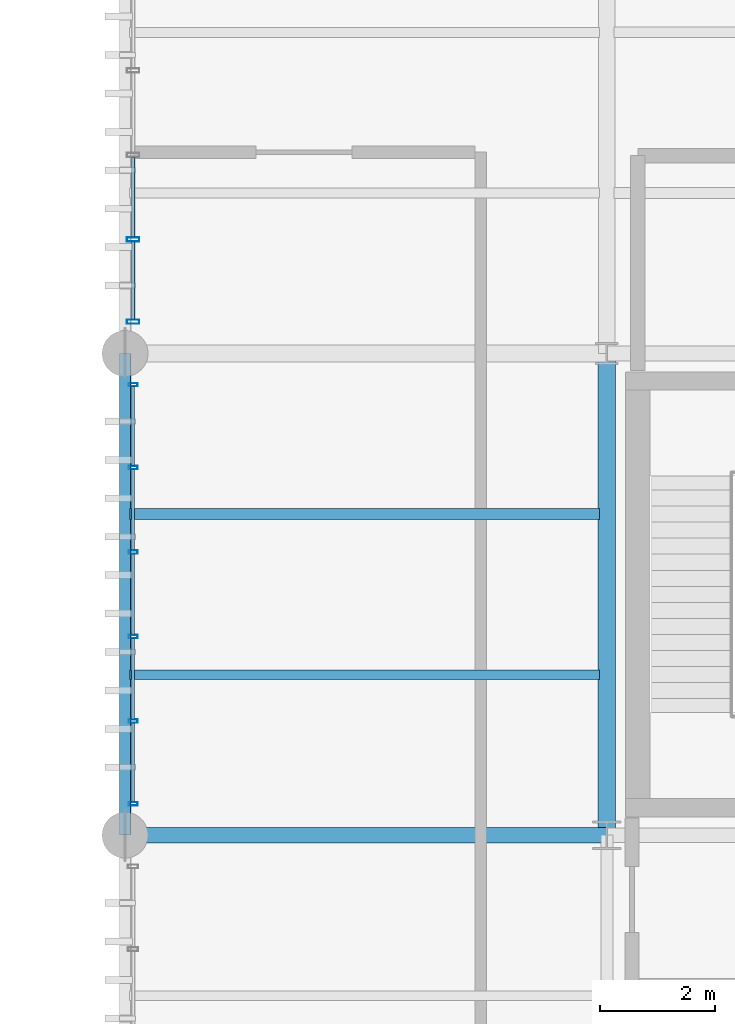
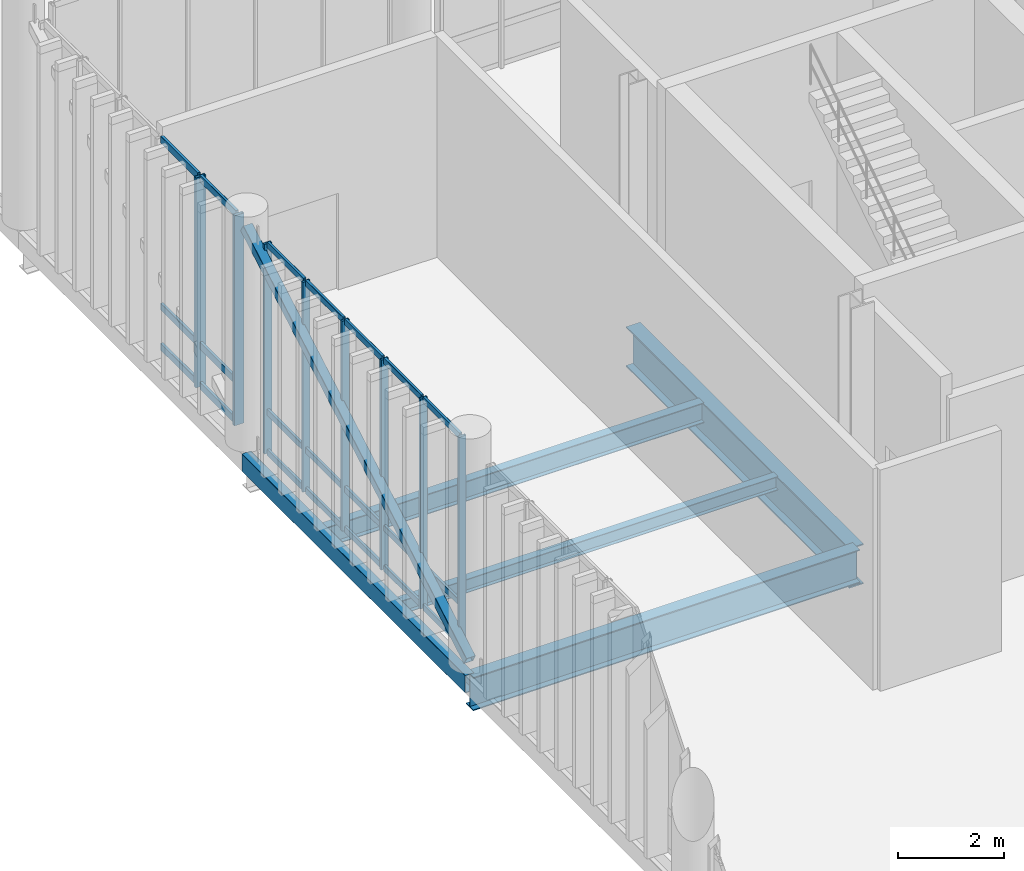
# One storey, part 80 of 128: 30 members, 5 beams, 2 elements without a shape of their own.
"""IFC4 building model written with IfcOpenShell, lengths in metres."""

from ifc_helpers import new_model, si_unit, direction, frame, origin_with_axes, origin_2d_with_axis, place, context, subcontext, project, spatial, hollow_rectangle, i_section, extrude, material, material_profile, profile_set, type_object, element, aggregate, save


model = new_model("IFC4")

# Units and contexts
model_context = context("Model", 3, precision=1e-05, world=origin_with_axes(), true_north=direction((0.0, 1.0)))
body_context = subcontext(model_context, "Body", "Model", "MODEL_VIEW")
ifc_project = project(units=[si_unit("LENGTHUNIT", "METRE"), si_unit("AREAUNIT", "SQUARE_METRE"), si_unit("VOLUMEUNIT", "CUBIC_METRE"), si_unit("PLANEANGLEUNIT", "RADIAN"), si_unit("MASSUNIT", "GRAM", prefix="KILO"), si_unit("THERMODYNAMICTEMPERATUREUNIT", "KELVIN")], contexts=[model_context])

# Site, building, storey
site_placement = place(None, origin_with_axes())
site = spatial("IfcSite", under=ifc_project, at=site_placement, CompositionType="ELEMENT")
building_placement = place(site_placement, origin_with_axes())
building = spatial("IfcBuilding", under=site, at=building_placement, Name="Montbau Bow Law Courts", CompositionType="ELEMENT")
storey_placement = place(building_placement, frame((0.0, 0.0, 5.4), z_axis=(0.0, 0.0, 1.0), x_axis=(1.0, 0.0, 0.0)))
storey = spatial("IfcBuildingStorey", under=building, at=storey_placement, Name="L01", CompositionType="ELEMENT", Elevation=5.4)

# Beams
ifc_material_1 = material(Name="Steel CSA G40.21 Grade 350W (350 MPa)", Category="steel")
ifc_material_profile_1 = material_profile(ifc_material_1, i_section(OverallWidth=0.306, OverallDepth=0.919, WebThickness=0.0173, FlangeThickness=0.0279, at=origin_2d_with_axis()), Name="W920X253", Category="Main", Priority=0)
ifc_profile_set_1 = profile_set([ifc_material_profile_1], Name="Steel CSA G40.21 Grade 350W (350 MPa)")
beam_type_1 = type_object("IfcBeamType", Name="B-FLR-01", PredefinedType="BEAM", material=ifc_profile_set_1)
beam_1_placement = place(None, frame((147.0, 86.4, 4.66), z_axis=(0.0, 1.0, 0.0), x_axis=(-1.0, 0.0, 0.0)))
element("IfcBeam", 1, at=beam_1_placement, inside=storey, type_object=beam_type_1, Name="BM-L01-S1140:bm2_1143", PredefinedType="BEAM", context=body_context, shape_type="SweptSolid", body=[
    extrude(i_section(OverallWidth=0.306, OverallDepth=0.919, WebThickness=0.0173, FlangeThickness=0.0279, at=origin_2d_with_axis()), origin_with_axes(), (0.0, 0.0, 1.0), 8.4),
])
ifc_material_profile_2 = material_profile(ifc_material_1, i_section(OverallWidth=0.267, OverallDepth=0.766, WebThickness=0.0149, FlangeThickness=0.0236, at=origin_2d_with_axis()), Name="W760X185", Category="Main", Priority=0)
ifc_profile_set_2 = profile_set([ifc_material_profile_2], Name="Steel CSA G40.21 Grade 350W (350 MPa)")
beam_type_2 = type_object("IfcBeamType", Name="B-FLR-03", PredefinedType="BEAM", material=ifc_profile_set_2)
beam_2_placement = place(None, frame((138.6, 86.4, 4.737), z_axis=(1.0, 0.0, 0.0), x_axis=(0.0, 1.0, 0.0)))
element("IfcBeam", 2, at=beam_2_placement, inside=storey, type_object=beam_type_2, Name="BM-L01-S1110:bm2_1113", PredefinedType="BEAM", context=body_context, shape_type="SweptSolid", body=[
    extrude(i_section(OverallWidth=0.267, OverallDepth=0.766, WebThickness=0.0149, FlangeThickness=0.0236, at=origin_2d_with_axis()), origin_with_axes(), (0.0, 0.0, 1.0), 8.4),
])
ifc_material_profile_3 = material_profile(ifc_material_1, i_section(OverallWidth=0.191, OverallDepth=0.46, WebThickness=0.0099, FlangeThickness=0.016, at=origin_2d_with_axis()), Name="W460X82", Category="Main", Priority=0)
ifc_profile_set_3 = profile_set([ifc_material_profile_3], Name="Steel CSA G40.21 Grade 350W (350 MPa)")
beam_type_3 = type_object("IfcBeamType", Name="B-JST-01", PredefinedType="JOIST", material=ifc_profile_set_3)
beam_3_placement = place(None, frame((138.68, 92.0, 4.89), z_axis=(1.0, 0.0, 0.0), x_axis=(0.0, 1.0, 0.0)))
element("IfcBeam", 3, at=beam_3_placement, inside=storey, type_object=beam_type_3, Name="JST-L01-S0568:jst2_0568", PredefinedType="JOIST", context=body_context, shape_type="SweptSolid", body=[
    extrude(i_section(OverallWidth=0.191, OverallDepth=0.46, WebThickness=0.0099, FlangeThickness=0.016, at=origin_2d_with_axis()), origin_with_axes(), (0.0, 0.0, 1.0), 8.191),
])
ifc_material_profile_4 = material_profile(ifc_material_1, i_section(OverallWidth=0.166, OverallDepth=0.313, WebThickness=0.0066, FlangeThickness=0.0112, at=origin_2d_with_axis()), Name="W310X45", Category="Main", Priority=0)
ifc_profile_set_4 = profile_set([ifc_material_profile_4], Name="Steel CSA G40.21 Grade 350W (350 MPa)")
beam_type_4 = type_object("IfcBeamType", Name="B-JST-04", PredefinedType="JOIST", material=ifc_profile_set_4)
beam_4_placement = place(None, frame((138.68, 89.2, 4.963), z_axis=(1.0, 0.0, 0.0), x_axis=(0.0, 1.0, 0.0)))
element("IfcBeam", 4, at=beam_4_placement, inside=storey, type_object=beam_type_4, Name="JST-L01-S0567:jst2_0567", PredefinedType="JOIST", context=body_context, shape_type="SweptSolid", body=[
    extrude(i_section(OverallWidth=0.166, OverallDepth=0.313, WebThickness=0.0066, FlangeThickness=0.0112, at=origin_2d_with_axis()), origin_with_axes(), (0.0, 0.0, 1.0), 8.191),
])
ifc_material_2 = material(Name="Steel CSA G40.21 Grade 350WT (350 MPa)", Category="steel")
ifc_material_profile_5 = material_profile(ifc_material_2, hollow_rectangle(XDim=0.203, YDim=0.406, WallThickness=0.0127, InnerFilletRadius=0.0254, OuterFilletRadius=0.0127, at=origin_2d_with_axis()), Name="HSS406X203X13", Category="Main", Priority=0)
ifc_profile_set_5 = profile_set([ifc_material_profile_5], Name="Steel CSA G40.21 Grade 350WT (350 MPa)")
beam_type_5 = type_object("IfcBeamType", Name="B-SPN-01", PredefinedType="SPANDREL", material=ifc_profile_set_5)
beam_5_placement = place(None, frame((138.6, 86.4, 4.917), z_axis=(0.0, 1.0, 0.0), x_axis=(-1.0, 0.0, 0.0)))
element("IfcBeam", 5, at=beam_5_placement, inside=storey, type_object=beam_type_5, Name="SPN-L01-S1133:bm2_1136", PredefinedType="SPANDREL", context=body_context, shape_type="SweptSolid", body=[
    extrude(hollow_rectangle(XDim=0.203, YDim=0.406, WallThickness=0.0127, InnerFilletRadius=0.0254, OuterFilletRadius=0.0127, at=origin_2d_with_axis()), origin_with_axes(), (0.0, 0.0, 1.0), 8.4),
])

# Member
ifc_material_profile_6 = material_profile(ifc_material_1, hollow_rectangle(XDim=0.203, YDim=0.203, WallThickness=0.0111, InnerFilletRadius=0.0222, OuterFilletRadius=0.0111, at=origin_2d_with_axis()), Name="HSS203X203X11", Category="Main", Priority=0)
ifc_profile_set_6 = profile_set([ifc_material_profile_6], Name="Steel CSA G40.21 Grade 350W (350 MPa)")
member_type_1 = type_object("IfcMemberType", Name="M-BRC-02", PredefinedType="BRACE", material=ifc_profile_set_6)
member_1_placement = place(None, frame((138.6, 86.4, 5.45), z_axis=(0.0, 0.866147817, 0.499787913), x_axis=(-1.0, 0.0, 0.0)))
element("IfcMember", 6, at=member_1_placement, inside=storey, type_object=member_type_1, Name="Diagonal brace CBF-L01-060A", PredefinedType="BRACE", context=body_context, shape_type="SweptSolid", body=[
    extrude(hollow_rectangle(XDim=0.203, YDim=0.203, WallThickness=0.0111, InnerFilletRadius=0.0222, OuterFilletRadius=0.0111, at=origin_2d_with_axis()), origin_with_axes(), (0.0, 0.0, 1.0), 9.698114),
])

# Curtain wall, members
ifc_material_3 = material(Name="Thermally Broken Extruded Aluminium AA 6063-T6", Category="aluminium")
curtain_wall_type = type_object("IfcCurtainWallType", Name="CW-SLT-01", PredefinedType="NOTDEFINED", material=ifc_material_3)
curtain_wall_1_placement = place(None, frame((138.74, 95.315, 5.4), z_axis=(0.0, 0.0, 1.0), x_axis=(1.0, 0.0, 0.0)))
curtain_wall_1 = element("IfcCurtainWall", 7, at=curtain_wall_1_placement, inside=storey, type_object=curtain_wall_type, Name="CW-L01-288:cw_0288", PredefinedType="NOTDEFINED")
ifc_material_profile_7 = material_profile(ifc_material_3, hollow_rectangle(XDim=0.075, YDim=0.22, WallThickness=0.005, InnerFilletRadius=0.01, OuterFilletRadius=0.005, at=origin_2d_with_axis()), Name="CWM-220X75", Category="Main", Priority=0)
ifc_profile_set_7 = profile_set([ifc_material_profile_7], Name="Thermally Broken Extruded Aluminium AA 6063-T6")
member_type_2 = type_object("IfcMemberType", Name="M-MUL-01", PredefinedType="MULLION", material=ifc_profile_set_7)
member_2_placement = place(None, frame((138.74, 95.352, 5.4), z_axis=(0.0, 0.0, 1.0), x_axis=(0.0, 1.0, 0.0)))
member_2 = element("IfcMember", 8, at=member_2_placement, type_object=member_type_2, Name="CW-L01-288-M01:cw_0288_M01", PredefinedType="MULLION", context=body_context, shape_type="SweptSolid", body=[
    extrude(hollow_rectangle(XDim=0.075, YDim=0.22, WallThickness=0.005, InnerFilletRadius=0.01, OuterFilletRadius=0.005, at=origin_2d_with_axis()), origin_with_axes(), (0.0, 0.0, 1.0), 4.82),
])
member_3_placement = place(None, frame((138.74, 96.789, 5.4), z_axis=(0.0, 0.0, 1.0), x_axis=(0.0, 1.0, 0.0)))
member_3 = element("IfcMember", 9, at=member_3_placement, type_object=member_type_2, Name="CW-L01-288-M02:cw_0288_M02", PredefinedType="MULLION", context=body_context, shape_type="SweptSolid", body=[
    extrude(hollow_rectangle(XDim=0.075, YDim=0.22, WallThickness=0.005, InnerFilletRadius=0.01, OuterFilletRadius=0.005, at=origin_2d_with_axis()), origin_with_axes(), (0.0, 0.0, 1.0), 4.82),
])

curtain_wall_2_placement = place(None, frame((138.74, 86.915, 5.4), z_axis=(0.0, 0.0, 1.0), x_axis=(1.0, 0.0, 0.0)))
curtain_wall_2 = element("IfcCurtainWall", 10, at=curtain_wall_2_placement, inside=storey, type_object=curtain_wall_type, Name="CW-L01-287:cw_0287", PredefinedType="NOTDEFINED")
ifc_material_profile_8 = material_profile(ifc_material_3, hollow_rectangle(XDim=0.06, YDim=0.16, WallThickness=0.004, InnerFilletRadius=0.008, OuterFilletRadius=0.004, at=origin_2d_with_axis()), Name="CWM-160X60", Category="Main", Priority=0)
ifc_profile_set_8 = profile_set([ifc_material_profile_8], Name="Thermally Broken Extruded Aluminium AA 6063-T6")
member_type_3 = type_object("IfcMemberType", Name="M-MUL-03", PredefinedType="MULLION", material=ifc_profile_set_8)
member_4_placement = place(None, frame((138.74, 86.945, 5.4), z_axis=(0.0, 0.0, 1.0), x_axis=(0.0, 1.0, 0.0)))
member_4 = element("IfcMember", 11, at=member_4_placement, type_object=member_type_3, Name="CW-L01-287-M01:cw_0287_M01", PredefinedType="MULLION", context=body_context, shape_type="SweptSolid", body=[
    extrude(hollow_rectangle(XDim=0.06, YDim=0.16, WallThickness=0.004, InnerFilletRadius=0.008, OuterFilletRadius=0.004, at=origin_2d_with_axis()), origin_with_axes(), (0.0, 0.0, 1.0), 4.82),
])
member_5_placement = place(None, frame((138.74, 88.389, 5.4), z_axis=(0.0, 0.0, 1.0), x_axis=(0.0, 1.0, 0.0)))
member_5 = element("IfcMember", 12, at=member_5_placement, type_object=member_type_3, Name="CW-L01-287-M02:cw_0287_M02", PredefinedType="MULLION", context=body_context, shape_type="SweptSolid", body=[
    extrude(hollow_rectangle(XDim=0.06, YDim=0.16, WallThickness=0.004, InnerFilletRadius=0.008, OuterFilletRadius=0.004, at=origin_2d_with_axis()), origin_with_axes(), (0.0, 0.0, 1.0), 4.82),
])
member_6_placement = place(None, frame((138.74, 89.863, 5.4), z_axis=(0.0, 0.0, 1.0), x_axis=(0.0, 1.0, 0.0)))
member_6 = element("IfcMember", 13, at=member_6_placement, type_object=member_type_3, Name="CW-L01-287-M03:cw_0287_M03", PredefinedType="MULLION", context=body_context, shape_type="SweptSolid", body=[
    extrude(hollow_rectangle(XDim=0.06, YDim=0.16, WallThickness=0.004, InnerFilletRadius=0.008, OuterFilletRadius=0.004, at=origin_2d_with_axis()), origin_with_axes(), (0.0, 0.0, 1.0), 4.82),
])
member_7_placement = place(None, frame((138.74, 91.337, 5.4), z_axis=(0.0, 0.0, 1.0), x_axis=(0.0, 1.0, 0.0)))
member_7 = element("IfcMember", 14, at=member_7_placement, type_object=member_type_3, Name="CW-L01-287-M04:cw_0287_M04", PredefinedType="MULLION", context=body_context, shape_type="SweptSolid", body=[
    extrude(hollow_rectangle(XDim=0.06, YDim=0.16, WallThickness=0.004, InnerFilletRadius=0.008, OuterFilletRadius=0.004, at=origin_2d_with_axis()), origin_with_axes(), (0.0, 0.0, 1.0), 4.82),
])
member_8_placement = place(None, frame((138.74, 92.811, 5.4), z_axis=(0.0, 0.0, 1.0), x_axis=(0.0, 1.0, 0.0)))
member_8 = element("IfcMember", 15, at=member_8_placement, type_object=member_type_3, Name="CW-L01-287-M05:cw_0287_M05", PredefinedType="MULLION", context=body_context, shape_type="SweptSolid", body=[
    extrude(hollow_rectangle(XDim=0.06, YDim=0.16, WallThickness=0.004, InnerFilletRadius=0.008, OuterFilletRadius=0.004, at=origin_2d_with_axis()), origin_with_axes(), (0.0, 0.0, 1.0), 4.82),
])
member_9_placement = place(None, frame((138.74, 94.255, 5.4), z_axis=(0.0, 0.0, 1.0), x_axis=(0.0, 1.0, 0.0)))
member_9 = element("IfcMember", 16, at=member_9_placement, type_object=member_type_3, Name="CW-L01-287-M06:cw_0287_M06", PredefinedType="MULLION", context=body_context, shape_type="SweptSolid", body=[
    extrude(hollow_rectangle(XDim=0.06, YDim=0.16, WallThickness=0.004, InnerFilletRadius=0.008, OuterFilletRadius=0.004, at=origin_2d_with_axis()), origin_with_axes(), (0.0, 0.0, 1.0), 4.82),
])

# Member
ifc_material_profile_9 = material_profile(ifc_material_3, hollow_rectangle(XDim=0.06, YDim=0.16, WallThickness=0.004, InnerFilletRadius=0.008, OuterFilletRadius=0.004, at=origin_2d_with_axis()), Name="CWT-160X60", Category="Main", Priority=0)
ifc_profile_set_9 = profile_set([ifc_material_profile_9], Name="Thermally Broken Extruded Aluminium AA 6063-T6")
member_type_4 = type_object("IfcMemberType", Name="M-TRN-01", PredefinedType="USERDEFINED", material=ifc_profile_set_9)
member_10_placement = place(None, frame((138.74, 95.391, 5.43), z_axis=(0.0, 1.0, 0.0), x_axis=(-1.0, 0.0, 0.0)))
member_10 = element("IfcMember", 17, at=member_10_placement, type_object=member_type_4, Name="CW-L01-288-T01-1:cw_0288_T01_1", ObjectType="TRANSOM", PredefinedType="USERDEFINED", context=body_context, shape_type="SweptSolid", body=[
    extrude(hollow_rectangle(XDim=0.06, YDim=0.16, WallThickness=0.004, InnerFilletRadius=0.008, OuterFilletRadius=0.004, at=origin_2d_with_axis()), origin_with_axes(), (0.0, 0.0, 1.0), 1.358),
])

member_11_placement = place(None, frame((138.74, 95.391, 6.35), z_axis=(0.0, 1.0, 0.0), x_axis=(-1.0, 0.0, 0.0)))
member_11 = element("IfcMember", 18, at=member_11_placement, type_object=member_type_4, Name="CW-L01-288-T01-2:cw_0288_T01_2", ObjectType="TRANSOM", PredefinedType="USERDEFINED", context=body_context, shape_type="SweptSolid", body=[
    extrude(hollow_rectangle(XDim=0.06, YDim=0.16, WallThickness=0.004, InnerFilletRadius=0.008, OuterFilletRadius=0.004, at=origin_2d_with_axis()), origin_with_axes(), (0.0, 0.0, 1.0), 1.358),
])

member_12_placement = place(None, frame((138.74, 95.391, 10.19), z_axis=(0.0, 1.0, 0.0), x_axis=(-1.0, 0.0, 0.0)))
member_12 = element("IfcMember", 19, at=member_12_placement, type_object=member_type_4, Name="CW-L01-288-T01-3:cw_0288_T01_3", ObjectType="TRANSOM", PredefinedType="USERDEFINED", context=body_context, shape_type="SweptSolid", body=[
    extrude(hollow_rectangle(XDim=0.06, YDim=0.16, WallThickness=0.004, InnerFilletRadius=0.008, OuterFilletRadius=0.004, at=origin_2d_with_axis()), origin_with_axes(), (0.0, 0.0, 1.0), 1.358),
])

member_13_placement = place(None, frame((138.74, 96.829, 5.43), z_axis=(0.0, 1.0, 0.0), x_axis=(-1.0, 0.0, 0.0)))
member_13 = element("IfcMember", 20, at=member_13_placement, type_object=member_type_4, Name="CW-L01-288-T02-1:cw_0288_T02_1", ObjectType="TRANSOM", PredefinedType="USERDEFINED", context=body_context, shape_type="SweptSolid", body=[
    extrude(hollow_rectangle(XDim=0.06, YDim=0.16, WallThickness=0.004, InnerFilletRadius=0.008, OuterFilletRadius=0.004, at=origin_2d_with_axis()), origin_with_axes(), (0.0, 0.0, 1.0), 1.395),
])

member_14_placement = place(None, frame((138.74, 96.829, 6.35), z_axis=(0.0, 1.0, 0.0), x_axis=(-1.0, 0.0, 0.0)))
member_14 = element("IfcMember", 21, at=member_14_placement, type_object=member_type_4, Name="CW-L01-288-T02-2:cw_0288_T02_2", ObjectType="TRANSOM", PredefinedType="USERDEFINED", context=body_context, shape_type="SweptSolid", body=[
    extrude(hollow_rectangle(XDim=0.06, YDim=0.16, WallThickness=0.004, InnerFilletRadius=0.008, OuterFilletRadius=0.004, at=origin_2d_with_axis()), origin_with_axes(), (0.0, 0.0, 1.0), 1.395),
])

member_15_placement = place(None, frame((138.74, 96.829, 10.19), z_axis=(0.0, 1.0, 0.0), x_axis=(-1.0, 0.0, 0.0)))
member_15 = element("IfcMember", 22, at=member_15_placement, type_object=member_type_4, Name="CW-L01-288-T02-3:cw_0288_T02_3", ObjectType="TRANSOM", PredefinedType="USERDEFINED", context=body_context, shape_type="SweptSolid", body=[
    extrude(hollow_rectangle(XDim=0.06, YDim=0.16, WallThickness=0.004, InnerFilletRadius=0.008, OuterFilletRadius=0.004, at=origin_2d_with_axis()), origin_with_axes(), (0.0, 0.0, 1.0), 1.395),
])

aggregate(curtain_wall_1, [member_2, member_3, member_10, member_11, member_12, member_13, member_14, member_15])

ifc_material_profile_10 = material_profile(ifc_material_3, hollow_rectangle(XDim=0.055, YDim=0.14, WallThickness=0.004, InnerFilletRadius=0.008, OuterFilletRadius=0.004, at=origin_2d_with_axis()), Name="CWT-140X55", Category="Main", Priority=0)
ifc_profile_set_10 = profile_set([ifc_material_profile_10], Name="Thermally Broken Extruded Aluminium AA 6063-T6")
member_type_5 = type_object("IfcMemberType", Name="M-TRN-02", PredefinedType="USERDEFINED", material=ifc_profile_set_10)
member_16_placement = place(None, frame((138.74, 86.977, 5.428), z_axis=(0.0, 1.0, 0.0), x_axis=(-1.0, 0.0, 0.0)))
member_16 = element("IfcMember", 23, at=member_16_placement, type_object=member_type_5, Name="CW-L01-287-T01-1:cw_0287_T01_1", ObjectType="TRANSOM", PredefinedType="USERDEFINED", context=body_context, shape_type="SweptSolid", body=[
    extrude(hollow_rectangle(XDim=0.055, YDim=0.14, WallThickness=0.004, InnerFilletRadius=0.008, OuterFilletRadius=0.004, at=origin_2d_with_axis()), origin_with_axes(), (0.0, 0.0, 1.0), 1.38),
])

member_17_placement = place(None, frame((138.74, 86.977, 6.35), z_axis=(0.0, 1.0, 0.0), x_axis=(-1.0, 0.0, 0.0)))
member_17 = element("IfcMember", 24, at=member_17_placement, type_object=member_type_5, Name="CW-L01-287-T01-2:cw_0287_T01_2", ObjectType="TRANSOM", PredefinedType="USERDEFINED", context=body_context, shape_type="SweptSolid", body=[
    extrude(hollow_rectangle(XDim=0.055, YDim=0.14, WallThickness=0.004, InnerFilletRadius=0.008, OuterFilletRadius=0.004, at=origin_2d_with_axis()), origin_with_axes(), (0.0, 0.0, 1.0), 1.38),
])

member_18_placement = place(None, frame((138.74, 86.977, 10.193), z_axis=(0.0, 1.0, 0.0), x_axis=(-1.0, 0.0, 0.0)))
member_18 = element("IfcMember", 25, at=member_18_placement, type_object=member_type_5, Name="CW-L01-287-T01-3:cw_0287_T01_3", ObjectType="TRANSOM", PredefinedType="USERDEFINED", context=body_context, shape_type="SweptSolid", body=[
    extrude(hollow_rectangle(XDim=0.055, YDim=0.14, WallThickness=0.004, InnerFilletRadius=0.008, OuterFilletRadius=0.004, at=origin_2d_with_axis()), origin_with_axes(), (0.0, 0.0, 1.0), 1.38),
])

member_19_placement = place(None, frame((138.74, 88.421, 5.428), z_axis=(0.0, 1.0, 0.0), x_axis=(-1.0, 0.0, 0.0)))
member_19 = element("IfcMember", 26, at=member_19_placement, type_object=member_type_5, Name="CW-L01-287-T02-1:cw_0287_T02_1", ObjectType="TRANSOM", PredefinedType="USERDEFINED", context=body_context, shape_type="SweptSolid", body=[
    extrude(hollow_rectangle(XDim=0.055, YDim=0.14, WallThickness=0.004, InnerFilletRadius=0.008, OuterFilletRadius=0.004, at=origin_2d_with_axis()), origin_with_axes(), (0.0, 0.0, 1.0), 1.41),
])

member_20_placement = place(None, frame((138.74, 88.421, 6.35), z_axis=(0.0, 1.0, 0.0), x_axis=(-1.0, 0.0, 0.0)))
member_20 = element("IfcMember", 27, at=member_20_placement, type_object=member_type_5, Name="CW-L01-287-T02-2:cw_0287_T02_2", ObjectType="TRANSOM", PredefinedType="USERDEFINED", context=body_context, shape_type="SweptSolid", body=[
    extrude(hollow_rectangle(XDim=0.055, YDim=0.14, WallThickness=0.004, InnerFilletRadius=0.008, OuterFilletRadius=0.004, at=origin_2d_with_axis()), origin_with_axes(), (0.0, 0.0, 1.0), 1.41),
])

member_21_placement = place(None, frame((138.74, 88.421, 10.193), z_axis=(0.0, 1.0, 0.0), x_axis=(-1.0, 0.0, 0.0)))
member_21 = element("IfcMember", 28, at=member_21_placement, type_object=member_type_5, Name="CW-L01-287-T02-3:cw_0287_T02_3", ObjectType="TRANSOM", PredefinedType="USERDEFINED", context=body_context, shape_type="SweptSolid", body=[
    extrude(hollow_rectangle(XDim=0.055, YDim=0.14, WallThickness=0.004, InnerFilletRadius=0.008, OuterFilletRadius=0.004, at=origin_2d_with_axis()), origin_with_axes(), (0.0, 0.0, 1.0), 1.41),
])

member_22_placement = place(None, frame((138.74, 89.895, 5.428), z_axis=(0.0, 1.0, 0.0), x_axis=(-1.0, 0.0, 0.0)))
member_22 = element("IfcMember", 29, at=member_22_placement, type_object=member_type_5, Name="CW-L01-287-T03-1:cw_0287_T03_1", ObjectType="TRANSOM", PredefinedType="USERDEFINED", context=body_context, shape_type="SweptSolid", body=[
    extrude(hollow_rectangle(XDim=0.055, YDim=0.14, WallThickness=0.004, InnerFilletRadius=0.008, OuterFilletRadius=0.004, at=origin_2d_with_axis()), origin_with_axes(), (0.0, 0.0, 1.0), 1.41),
])

member_23_placement = place(None, frame((138.74, 89.895, 6.35), z_axis=(0.0, 1.0, 0.0), x_axis=(-1.0, 0.0, 0.0)))
member_23 = element("IfcMember", 30, at=member_23_placement, type_object=member_type_5, Name="CW-L01-287-T03-2:cw_0287_T03_2", ObjectType="TRANSOM", PredefinedType="USERDEFINED", context=body_context, shape_type="SweptSolid", body=[
    extrude(hollow_rectangle(XDim=0.055, YDim=0.14, WallThickness=0.004, InnerFilletRadius=0.008, OuterFilletRadius=0.004, at=origin_2d_with_axis()), origin_with_axes(), (0.0, 0.0, 1.0), 1.41),
])

member_24_placement = place(None, frame((138.74, 89.895, 10.193), z_axis=(0.0, 1.0, 0.0), x_axis=(-1.0, 0.0, 0.0)))
member_24 = element("IfcMember", 31, at=member_24_placement, type_object=member_type_5, Name="CW-L01-287-T03-3:cw_0287_T03_3", ObjectType="TRANSOM", PredefinedType="USERDEFINED", context=body_context, shape_type="SweptSolid", body=[
    extrude(hollow_rectangle(XDim=0.055, YDim=0.14, WallThickness=0.004, InnerFilletRadius=0.008, OuterFilletRadius=0.004, at=origin_2d_with_axis()), origin_with_axes(), (0.0, 0.0, 1.0), 1.41),
])

member_25_placement = place(None, frame((138.74, 91.369, 5.428), z_axis=(0.0, 1.0, 0.0), x_axis=(-1.0, 0.0, 0.0)))
member_25 = element("IfcMember", 32, at=member_25_placement, type_object=member_type_5, Name="CW-L01-287-T04-1:cw_0287_T04_1", ObjectType="TRANSOM", PredefinedType="USERDEFINED", context=body_context, shape_type="SweptSolid", body=[
    extrude(hollow_rectangle(XDim=0.055, YDim=0.14, WallThickness=0.004, InnerFilletRadius=0.008, OuterFilletRadius=0.004, at=origin_2d_with_axis()), origin_with_axes(), (0.0, 0.0, 1.0), 1.41),
])

member_26_placement = place(None, frame((138.74, 91.369, 6.35), z_axis=(0.0, 1.0, 0.0), x_axis=(-1.0, 0.0, 0.0)))
member_26 = element("IfcMember", 33, at=member_26_placement, type_object=member_type_5, Name="CW-L01-287-T04-2:cw_0287_T04_2", ObjectType="TRANSOM", PredefinedType="USERDEFINED", context=body_context, shape_type="SweptSolid", body=[
    extrude(hollow_rectangle(XDim=0.055, YDim=0.14, WallThickness=0.004, InnerFilletRadius=0.008, OuterFilletRadius=0.004, at=origin_2d_with_axis()), origin_with_axes(), (0.0, 0.0, 1.0), 1.41),
])

member_27_placement = place(None, frame((138.74, 91.369, 10.193), z_axis=(0.0, 1.0, 0.0), x_axis=(-1.0, 0.0, 0.0)))
member_27 = element("IfcMember", 34, at=member_27_placement, type_object=member_type_5, Name="CW-L01-287-T04-3:cw_0287_T04_3", ObjectType="TRANSOM", PredefinedType="USERDEFINED", context=body_context, shape_type="SweptSolid", body=[
    extrude(hollow_rectangle(XDim=0.055, YDim=0.14, WallThickness=0.004, InnerFilletRadius=0.008, OuterFilletRadius=0.004, at=origin_2d_with_axis()), origin_with_axes(), (0.0, 0.0, 1.0), 1.41),
])

member_28_placement = place(None, frame((138.74, 92.843, 5.428), z_axis=(0.0, 1.0, 0.0), x_axis=(-1.0, 0.0, 0.0)))
member_28 = element("IfcMember", 35, at=member_28_placement, type_object=member_type_5, Name="CW-L01-287-T05-1:cw_0287_T05_1", ObjectType="TRANSOM", PredefinedType="USERDEFINED", context=body_context, shape_type="SweptSolid", body=[
    extrude(hollow_rectangle(XDim=0.055, YDim=0.14, WallThickness=0.004, InnerFilletRadius=0.008, OuterFilletRadius=0.004, at=origin_2d_with_axis()), origin_with_axes(), (0.0, 0.0, 1.0), 1.38),
])

member_29_placement = place(None, frame((138.74, 92.843, 6.35), z_axis=(0.0, 1.0, 0.0), x_axis=(-1.0, 0.0, 0.0)))
member_29 = element("IfcMember", 36, at=member_29_placement, type_object=member_type_5, Name="CW-L01-287-T05-2:cw_0287_T05_2", ObjectType="TRANSOM", PredefinedType="USERDEFINED", context=body_context, shape_type="SweptSolid", body=[
    extrude(hollow_rectangle(XDim=0.055, YDim=0.14, WallThickness=0.004, InnerFilletRadius=0.008, OuterFilletRadius=0.004, at=origin_2d_with_axis()), origin_with_axes(), (0.0, 0.0, 1.0), 1.38),
])

member_30_placement = place(None, frame((138.74, 92.843, 10.193), z_axis=(0.0, 1.0, 0.0), x_axis=(-1.0, 0.0, 0.0)))
member_30 = element("IfcMember", 37, at=member_30_placement, type_object=member_type_5, Name="CW-L01-287-T05-3:cw_0287_T05_3", ObjectType="TRANSOM", PredefinedType="USERDEFINED", context=body_context, shape_type="SweptSolid", body=[
    extrude(hollow_rectangle(XDim=0.055, YDim=0.14, WallThickness=0.004, InnerFilletRadius=0.008, OuterFilletRadius=0.004, at=origin_2d_with_axis()), origin_with_axes(), (0.0, 0.0, 1.0), 1.38),
])

aggregate(curtain_wall_2, [member_4, member_5, member_6, member_7, member_8, member_9, member_16, member_17, member_18, member_19, member_20, member_21, member_22, member_23, member_24, member_25, member_26, member_27, member_28, member_29, member_30])

save(model, "model.ifc")
